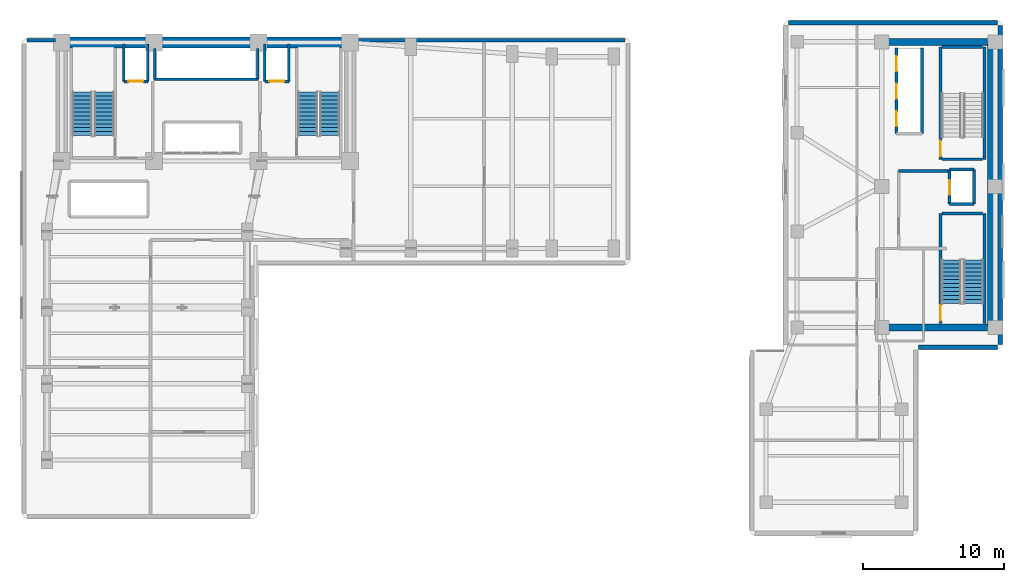
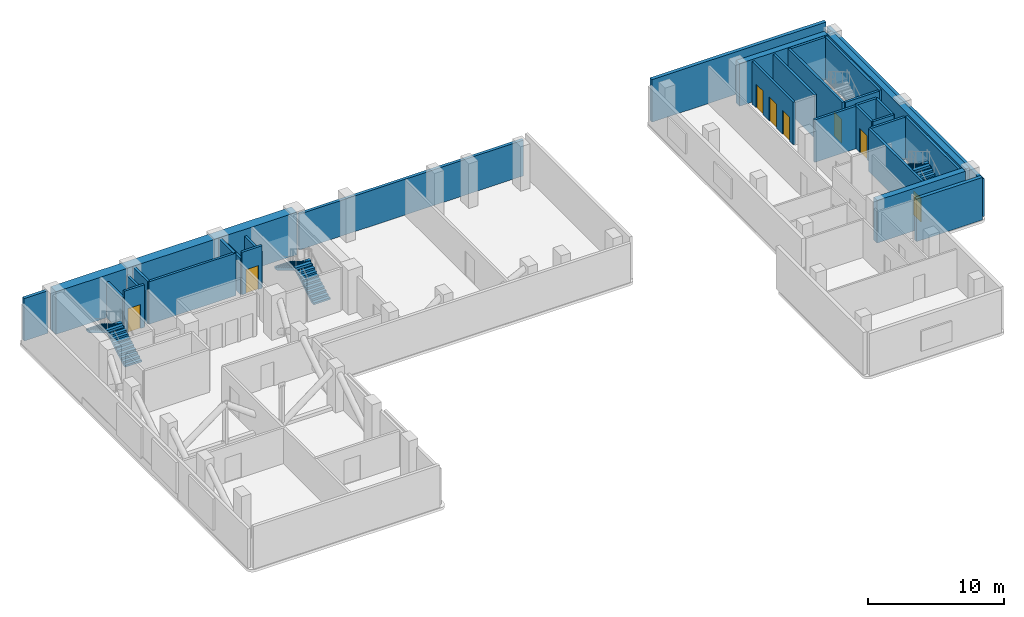
# One storey, part 6 of 9: 32 walls, 8 doors, 6 stair flights, 8 openings, 3 elements without a shape of their own.
"""IFC4 building model written with IfcOpenShell, lengths in metres."""

from ifc_helpers import new_model, si_unit, direction, frame, frame_2d, origin, place, context, subcontext, project, spatial, polyline, rectangle, outline, extrude, material, layer, layer_set, type_object, element, fill, aggregate, save


model = new_model("IFC4")

# Units and contexts
model_context = context("Model", 3, precision=1e-05, world=origin(), true_north=direction((0.0, 1.0)))
body_context = subcontext(model_context, "Body", "Model", "MODEL_VIEW")
ifc_project = project(units=[si_unit("LENGTHUNIT", "METRE"), si_unit("AREAUNIT", "SQUARE_METRE"), si_unit("VOLUMEUNIT", "CUBIC_METRE"), si_unit("PLANEANGLEUNIT", "RADIAN"), si_unit("MASSUNIT", "GRAM", prefix="KILO")], contexts=[model_context])

# Site, building, storey
site_placement = place(None, origin())
site = spatial("IfcSite", under=ifc_project, at=site_placement, CompositionType="ELEMENT")
building_placement = place(site_placement, origin())
building = spatial("IfcBuilding", under=site, at=building_placement, Name="Kuzgunbayir Cultural Tower", CompositionType="ELEMENT")
storey_placement = place(building_placement, frame((0.0, 0.0, 79.39990234375)))
storey = spatial("IfcBuildingStorey", under=building, at=storey_placement, Name="L22", CompositionType="ELEMENT", Elevation=79.39990234375)

# Walls
ifc_material_1 = material(Name="Concrete C60/75", Category="concrete")
ifc_layer_1 = layer(ifc_material_1, 0.800048828125)
ifc_layer_set_1 = layer_set([ifc_layer_1], Name="Concrete C60/75")
wall_type_1 = type_object("IfcWallType", Name="WAL-CORE-800", PredefinedType="SHEAR", material=ifc_layer_set_1)
wall_1_placement = place(storey_placement, frame((6.449951171875, 42.199951171875, 0.0), z_axis=(0.0, 0.0, 1.0), x_axis=(1.0, 0.0, 0.0)))
element("IfcWall", 1, at=wall_1_placement, inside=storey, type_object=wall_type_1, Name="L22 T1 Core North Shear Wall", PredefinedType="SHEAR", context=body_context, shape_type="SweptSolid", body=[
    extrude(rectangle(XDim=20.449951171875, YDim=0.800048828125, at=frame_2d((10.22509765625, 0.0))), origin(), (0.0, 0.0, 1.0), 3.820068359375),
])
ifc_material_2 = material(Name="Concrete C40/50", Category="concrete")
ifc_layer_2 = layer(ifc_material_2, 0.25)
ifc_layer_set_2 = layer_set([ifc_layer_2], Name="Concrete C40/50")
wall_type_2 = type_object("IfcWallType", Name="WAL-EXT-PLANT-250", PredefinedType="STANDARD", material=ifc_layer_set_2)
wall_2_placement = place(storey_placement, frame((46.39990234375, 42.35009765625, 0.0), z_axis=(0.0, 0.0, 1.0), x_axis=(-1.0, 0.0, 0.0)))
element("IfcWall", 2, at=wall_2_placement, inside=storey, type_object=wall_type_2, Name="L22 North Wing B Limestone Wall", PredefinedType="STANDARD", context=body_context, shape_type="SweptSolid", body=[
    extrude(rectangle(XDim=19.0498046875, YDim=0.25, at=frame_2d((9.52490234375, 0.0))), origin(), (0.0, 0.0, 1.0), 3.210205078125),
])
wall_3_placement = place(storey_placement, frame((6.0, 42.35009765625, 0.0), z_axis=(0.0, 0.0, 1.0), x_axis=(-1.0, 0.0, 0.0)))
element("IfcWall", 3, at=wall_3_placement, inside=storey, type_object=wall_type_2, Name="L22 Core North-West Spandrel Link", PredefinedType="STANDARD", context=body_context, shape_type="SweptSolid", body=[
    extrude(rectangle(XDim=2.0, YDim=0.25, at=frame_2d((1.0, 0.0))), origin(), (0.0, 0.0, 1.0), 3.820068359375),
])
ifc_material_3 = material(Name="Anatolian Cream Limestone", Category="masonry")
ifc_layer_3 = layer(ifc_material_3, 0.300048828125)
ifc_layer_set_3 = layer_set([ifc_layer_3], Name="Anatolian Cream Limestone")
wall_type_3 = type_object("IfcWallType", Name="WAL-EXT-STONE-300", PredefinedType="STANDARD", material=ifc_layer_set_3)
wall_4_placement = place(storey_placement, frame((73.0, 20.800048828125, 0.0), z_axis=(0.0, 0.0, 1.0), x_axis=(0.0, 1.0, 0.0)))
element("IfcWall", 4, at=wall_4_placement, inside=storey, type_object=wall_type_3, Name="L22 Companion East Limestone Wall", PredefinedType="STANDARD", context=body_context, shape_type="SweptSolid", body=[
    extrude(rectangle(XDim=22.599853515625, YDim=0.300048828125, at=frame_2d((11.2998046875, 0.0))), origin(), (0.0, 0.0, 1.0), 3.400146484375),
])
wall_5_placement = place(storey_placement, frame((72.800048828125, 43.60009765625, 0.0), z_axis=(0.0, 0.0, 1.0), x_axis=(-1.0, 0.0, 0.0)))
element("IfcWall", 5, at=wall_5_placement, inside=storey, type_object=wall_type_3, Name="L22 Companion North Limestone Wall", PredefinedType="STANDARD", context=body_context, shape_type="SweptSolid", body=[
    extrude(rectangle(XDim=14.800048828125, YDim=0.300048828125, at=frame_2d((7.39990234375, 0.0))), origin(), (0.0, 0.0, 1.0), 3.820068359375),
])
wall_6_placement = place(storey_placement, frame((67.199951171875, 20.60009765625, 0.0), z_axis=(0.0, 0.0, 1.0), x_axis=(1.0, 0.0, 0.0)))
element("IfcWall", 6, at=wall_6_placement, inside=storey, type_object=wall_type_3, Name="L22 Companion South-East Link", PredefinedType="STANDARD", context=body_context, shape_type="SweptSolid", body=[
    extrude(rectangle(XDim=5.60009765625, YDim=0.300048828125, at=frame_2d((2.800048828125, 0.0))), origin(), (0.0, 0.0, 1.0), 3.820068359375),
])
ifc_material_4 = material(Name="Aerated Concrete Blockwork", Category="masonry")
ifc_layer_4 = layer(ifc_material_4, 0.199951171875)
ifc_layer_set_4 = layer_set([ifc_layer_4], Name="Aerated Concrete Blockwork")
wall_type_4 = type_object("IfcWallType", Name="WAL-PART-FIRE-200", PredefinedType="PARTITIONING", material=ifc_layer_set_4)
wall_7_placement = place(storey_placement, frame((65.800048828125, 33.10009765625, 0.0), z_axis=(0.0, 0.0, 1.0), x_axis=(1.0, 0.0, 0.0)))
element("IfcWall", 7, at=wall_7_placement, inside=storey, type_object=wall_type_4, Name="L22 FFL-3 Lobby North Fire Wall", PredefinedType="PARTITIONING", context=body_context, shape_type="SweptSolid", body=[
    extrude(rectangle(XDim=3.599853515625, YDim=0.199951171875, at=frame_2d((1.7998046875, 0.0))), origin(), (0.0, 0.0, 1.0), 3.820068359375),
])

# Wall, opening, door
ifc_layer_5 = layer(ifc_material_2, 0.199951171875)
ifc_layer_set_5 = layer_set([ifc_layer_5], Name="Concrete C40/50")
wall_type_5 = type_object("IfcWallType", Name="WAL-SHAFT-200", PredefinedType="MOVABLE", material=ifc_layer_set_5)
wall_8_placement = place(storey_placement, frame((10.85009765625, 39.449951171875, 0.0), z_axis=(0.0, 0.0, 1.0), x_axis=(1.0, 0.0, 0.0)))
wall_8 = element("IfcWall", 8, at=wall_8_placement, inside=storey, type_object=wall_type_5, Name="L22 FFL-1 Lift Front Wall", PredefinedType="MOVABLE", context=body_context, shape_type="SweptSolid", body=[
    extrude(rectangle(XDim=1.699951171875, YDim=0.199951171875, at=frame_2d((0.85009765625, 0.0))), origin(), (0.0, 0.0, 1.0), 3.820068359375),
])
opening_1_placement = place(wall_8_placement, frame((0.320068359375, 0.0, 0.0)))
opening_1 = element("IfcOpeningElement", 9, at=opening_1_placement, cuts=wall_8, Name="Opening LD", PredefinedType="OPENING", context=body_context, shape_type="SweptSolid", body=[
    extrude(rectangle(XDim=1.050048828125, YDim=2.14990234375, at=frame_2d((0.52490234375, 1.074951171875))), frame((0.0, 0.10986328125, 0.0), z_axis=(0.0, -1.0, 0.0), x_axis=(1.0, 0.0, 0.0)), (0.0, 0.0, 1.0), 0.219970703125),
])
ifc_material_5 = material(Name="Brushed Stainless Steel", Category="steel")
door_type_1 = type_object("IfcDoorType", Name="DR-LIFT-LANDING", OperationType="SLIDING_TO_LEFT", PredefinedType="DOOR", material=ifc_material_5)
door_1_placement = place(opening_1_placement, origin())
door_1 = element("IfcDoor", 10, at=door_1_placement, inside=storey, type_object=door_type_1, Name="L22 Lift FFL-1 Landing Door", OperationType="SLIDING_TO_LEFT", OverallHeight=2.14990234375, OverallWidth=1.050048828125, PredefinedType="DOOR", context=body_context, shape_type="SweptSolid", body=[
    extrude(rectangle(XDim=1.050048828125, YDim=2.14990234375, at=frame_2d((0.52490234375, 1.074951171875))), frame((0.0, 0.02490234375, 0.0), z_axis=(0.0, -1.0, 0.0), x_axis=(1.0, 0.0, 0.0)), (0.0, 0.0, 1.0), 0.050048828125),
])
fill(opening_1, door_1)

wall_9_placement = place(storey_placement, frame((20.85009765625, 39.449951171875, 0.0), z_axis=(0.0, 0.0, 1.0), x_axis=(1.0, 0.0, 0.0)))
wall_9 = element("IfcWall", 11, at=wall_9_placement, inside=storey, type_object=wall_type_5, Name="L22 FFL-2 Lift Front Wall", PredefinedType="MOVABLE", context=body_context, shape_type="SweptSolid", body=[
    extrude(rectangle(XDim=1.699951171875, YDim=0.199951171875, at=frame_2d((0.85009765625, 0.0))), origin(), (0.0, 0.0, 1.0), 3.820068359375),
])
opening_2_placement = place(wall_9_placement, frame((0.320068359375, 0.0, 0.0)))
opening_2 = element("IfcOpeningElement", 12, at=opening_2_placement, cuts=wall_9, Name="Opening LD", PredefinedType="OPENING", context=body_context, shape_type="SweptSolid", body=[
    extrude(rectangle(XDim=1.050048828125, YDim=2.14990234375, at=frame_2d((0.52490234375, 1.074951171875))), frame((0.0, 0.10986328125, 0.0), z_axis=(0.0, -1.0, 0.0), x_axis=(1.0, 0.0, 0.0)), (0.0, 0.0, 1.0), 0.219970703125),
])
door_2_placement = place(opening_2_placement, origin())
door_2 = element("IfcDoor", 13, at=door_2_placement, inside=storey, type_object=door_type_1, Name="L22 Lift FFL-2 Landing Door", OperationType="SLIDING_TO_LEFT", OverallHeight=2.14990234375, OverallWidth=1.050048828125, PredefinedType="DOOR", context=body_context, shape_type="SweptSolid", body=[
    extrude(rectangle(XDim=1.050048828125, YDim=2.14990234375, at=frame_2d((0.52490234375, 1.074951171875))), frame((0.0, 0.02490234375, 0.0), z_axis=(0.0, -1.0, 0.0), x_axis=(1.0, 0.0, 0.0)), (0.0, 0.0, 1.0), 0.050048828125),
])
fill(opening_2, door_2)

# Walls
for number, where, z_axis, x_axis, name in (
    (14, (10.85009765625, 39.449951171875, 0.0), (0.0, 0.0, 1.0), (0.0, 1.0, 0.0), "L22 FFL-1 Shaft West Wall"),
    (15, (12.550048828125, 39.449951171875, 0.0), (0.0, 0.0, 1.0), (0.0, 1.0, 0.0), "L22 FFL-1 Shaft East Wall"),
    (16, (20.85009765625, 39.449951171875, 0.0), (0.0, 0.0, 1.0), (0.0, 1.0, 0.0), "L22 FFL-2 Shaft West Wall"),
    (17, (22.550048828125, 39.449951171875, 0.0), (0.0, 0.0, 1.0), (0.0, 1.0, 0.0), "L22 FFL-2 Shaft East Wall"),
):
    element("IfcWall", number, at=place(storey_placement, frame(where, z_axis=z_axis, x_axis=x_axis)), inside=storey, type_object=wall_type_5, Name=name, PredefinedType="MOVABLE", context=body_context, shape_type="SweptSolid", body=[
        extrude(rectangle(XDim=2.650146484375, YDim=0.199951171875, at=frame_2d((1.3251953125, 0.0))), origin(), (0.0, 0.0, 1.0), 3.210205078125),
    ])
wall_10_placement = place(storey_placement, frame((13.0, 39.60009765625, 0.0), z_axis=(0.0, 0.0, 1.0), x_axis=(1.0, 0.0, 0.0)))
element("IfcWall", 18, at=wall_10_placement, inside=storey, type_object=wall_type_5, Name="L22 Low-Rise Lift Front Wall", PredefinedType="MOVABLE", context=body_context, shape_type="SweptSolid", body=[
    extrude(rectangle(XDim=7.39990234375, YDim=0.199951171875, at=frame_2d((3.699951171875, 0.0))), origin(), (0.0, 0.0, 1.0), 3.820068359375),
])
for number, where, z_axis, x_axis, name in (
    (19, (13.050048828125, 39.60009765625, 0.0), (0.0, 0.0, 1.0), (0.0, 1.0, 0.0), "L22 Low-Rise Lift Shaft West Wall"),
    (20, (20.35009765625, 39.60009765625, 0.0), (0.0, 0.0, 1.0), (0.0, 1.0, 0.0), "L22 Low-Rise Lift Shaft East Wall"),
):
    element("IfcWall", number, at=place(storey_placement, frame(where, z_axis=z_axis, x_axis=x_axis)), inside=storey, type_object=wall_type_5, Name=name, PredefinedType="MOVABLE", context=body_context, shape_type="SweptSolid", body=[
        extrude(rectangle(XDim=2.179931640625, YDim=0.199951171875, at=frame_2d((1.08984375, 0.0))), origin(), (0.0, 0.0, 1.0), 3.820068359375),
    ])

# Wall, openings, doors
wall_11_placement = place(storey_placement, frame((65.64990234375, 35.75, 0.0), z_axis=(0.0, 0.0, 1.0), x_axis=(0.0, 1.0, 0.0)))
wall_11 = element("IfcWall", 21, at=wall_11_placement, inside=storey, type_object=wall_type_5, Name="L22 Companion Lift Front Wall", PredefinedType="MOVABLE", context=body_context, shape_type="SweptSolid", body=[
    extrude(rectangle(XDim=6.050048828125, YDim=0.199951171875, at=frame_2d((3.02490234375, 0.0))), origin(), (0.0, 0.0, 1.0), 3.820068359375),
])
opening_3_placement = place(wall_11_placement, frame((0.52001953125, 0.0, 0.0)))
opening_3 = element("IfcOpeningElement", 22, at=opening_3_placement, cuts=wall_11, Name="Opening LD", PredefinedType="OPENING", context=body_context, shape_type="SweptSolid", body=[
    extrude(rectangle(XDim=1.050048828125, YDim=2.14990234375, at=frame_2d((0.52490234375, 1.074951171875))), frame((0.0, 0.10986328125, 0.0), z_axis=(0.0, -1.0, 0.0), x_axis=(1.0, 0.0, 0.0)), (0.0, 0.0, 1.0), 0.219970703125),
])
opening_4_placement = place(wall_11_placement, frame((2.47998046875, 0.0, 0.0)))
opening_4 = element("IfcOpeningElement", 23, at=opening_4_placement, cuts=wall_11, Name="Opening LD", PredefinedType="OPENING", context=body_context, shape_type="SweptSolid", body=[
    extrude(rectangle(XDim=1.050048828125, YDim=2.14990234375, at=frame_2d((0.52490234375, 1.074951171875))), frame((0.0, 0.10986328125, 0.0), z_axis=(0.0, -1.0, 0.0), x_axis=(1.0, 0.0, 0.0)), (0.0, 0.0, 1.0), 0.219970703125),
])
opening_5_placement = place(wall_11_placement, frame((4.429931640625, 0.0, 0.0)))
opening_5 = element("IfcOpeningElement", 24, at=opening_5_placement, cuts=wall_11, Name="Opening LD", PredefinedType="OPENING", context=body_context, shape_type="SweptSolid", body=[
    extrude(rectangle(XDim=1.050048828125, YDim=2.14990234375, at=frame_2d((0.52490234375, 1.074951171875))), frame((0.0, 0.10986328125, 0.0), z_axis=(0.0, -1.0, 0.0), x_axis=(1.0, 0.0, 0.0)), (0.0, 0.0, 1.0), 0.219970703125),
])
door_3_placement = place(opening_3_placement, origin())
door_3 = element("IfcDoor", 25, at=door_3_placement, inside=storey, type_object=door_type_1, Name="L22 Lift PC-1 Landing Door", OperationType="SLIDING_TO_LEFT", OverallHeight=2.14990234375, OverallWidth=1.050048828125, PredefinedType="DOOR", context=body_context, shape_type="SweptSolid", body=[
    extrude(rectangle(XDim=1.050048828125, YDim=2.14990234375, at=frame_2d((0.52490234375, 1.074951171875))), frame((0.0, 0.02490234375, 0.0), z_axis=(0.0, -1.0, 0.0), x_axis=(1.0, 0.0, 0.0)), (0.0, 0.0, 1.0), 0.050048828125),
])
fill(opening_3, door_3)
door_4_placement = place(opening_4_placement, origin())
door_4 = element("IfcDoor", 26, at=door_4_placement, inside=storey, type_object=door_type_1, Name="L22 Lift PC-2 Landing Door", OperationType="SLIDING_TO_LEFT", OverallHeight=2.14990234375, OverallWidth=1.050048828125, PredefinedType="DOOR", context=body_context, shape_type="SweptSolid", body=[
    extrude(rectangle(XDim=1.050048828125, YDim=2.14990234375, at=frame_2d((0.52490234375, 1.074951171875))), frame((0.0, 0.02490234375, 0.0), z_axis=(0.0, -1.0, 0.0), x_axis=(1.0, 0.0, 0.0)), (0.0, 0.0, 1.0), 0.050048828125),
])
fill(opening_4, door_4)
door_5_placement = place(opening_5_placement, origin())
door_5 = element("IfcDoor", 27, at=door_5_placement, inside=storey, type_object=door_type_1, Name="L22 Lift PC-3 Landing Door", OperationType="SLIDING_TO_LEFT", OverallHeight=2.14990234375, OverallWidth=1.050048828125, PredefinedType="DOOR", context=body_context, shape_type="SweptSolid", body=[
    extrude(rectangle(XDim=1.050048828125, YDim=2.14990234375, at=frame_2d((0.52490234375, 1.074951171875))), frame((0.0, 0.02490234375, 0.0), z_axis=(0.0, -1.0, 0.0), x_axis=(1.0, 0.0, 0.0)), (0.0, 0.0, 1.0), 0.050048828125),
])
fill(opening_5, door_5)

# Wall
wall_12_placement = place(storey_placement, frame((67.449951171875, 35.75, 0.0), z_axis=(0.0, 0.0, 1.0), x_axis=(0.0, 1.0, 0.0)))
element("IfcWall", 28, at=wall_12_placement, inside=storey, type_object=wall_type_5, Name="L22 Companion Lift Shaft Back Wall", PredefinedType="MOVABLE", context=body_context, shape_type="SweptSolid", body=[
    extrude(rectangle(XDim=6.050048828125, YDim=0.199951171875, at=frame_2d((3.02490234375, 0.0))), origin(), (0.0, 0.0, 1.0), 3.820068359375),
])

# Wall, opening, door
wall_13_placement = place(storey_placement, frame((69.39990234375, 30.75, 0.0), z_axis=(0.0, 0.0, 1.0), x_axis=(0.0, 1.0, 0.0)))
wall_13 = element("IfcWall", 29, at=wall_13_placement, inside=storey, type_object=wall_type_5, Name="L22 FFL-3 Lift Front Wall", PredefinedType="MOVABLE", context=body_context, shape_type="SweptSolid", body=[
    extrude(rectangle(XDim=2.449951171875, YDim=0.199951171875, at=frame_2d((1.22509765625, 0.0))), origin(), (0.0, 0.0, 1.0), 3.820068359375),
])
opening_6_placement = place(wall_13_placement, frame((0.64990234375, 0.0, 0.0)))
opening_6 = element("IfcOpeningElement", 30, at=opening_6_placement, cuts=wall_13, Name="Opening LD", PredefinedType="OPENING", context=body_context, shape_type="SweptSolid", body=[
    extrude(rectangle(XDim=1.050048828125, YDim=2.14990234375, at=frame_2d((0.52490234375, 1.074951171875))), frame((0.0, 0.10986328125, 0.0), z_axis=(0.0, -1.0, 0.0), x_axis=(1.0, 0.0, 0.0)), (0.0, 0.0, 1.0), 0.219970703125),
])
door_6_placement = place(opening_6_placement, origin())
door_6 = element("IfcDoor", 31, at=door_6_placement, inside=storey, type_object=door_type_1, Name="L22 Lift FFL-3 Landing Door", OperationType="SLIDING_TO_LEFT", OverallHeight=2.14990234375, OverallWidth=1.050048828125, PredefinedType="DOOR", context=body_context, shape_type="SweptSolid", body=[
    extrude(rectangle(XDim=1.050048828125, YDim=2.14990234375, at=frame_2d((0.52490234375, 1.074951171875))), frame((0.0, 0.02490234375, 0.0), z_axis=(0.0, -1.0, 0.0), x_axis=(1.0, 0.0, 0.0)), (0.0, 0.0, 1.0), 0.050048828125),
])
fill(opening_6, door_6)

# Walls
wall_14_placement = place(storey_placement, frame((71.14990234375, 30.75, 0.0), z_axis=(0.0, 0.0, 1.0), x_axis=(0.0, 1.0, 0.0)))
element("IfcWall", 32, at=wall_14_placement, inside=storey, type_object=wall_type_5, Name="L22 FFL-3 Shaft Back Wall", PredefinedType="MOVABLE", context=body_context, shape_type="SweptSolid", body=[
    extrude(rectangle(XDim=2.449951171875, YDim=0.199951171875, at=frame_2d((1.22509765625, 0.0))), origin(), (0.0, 0.0, 1.0), 3.820068359375),
])
for number, where, z_axis, x_axis, name in (
    (33, (69.39990234375, 33.199951171875, 0.0), (0.0, 0.0, 1.0), (1.0, 0.0, 0.0), "L22 FFL-3 Shaft North Wall"),
    (34, (69.39990234375, 30.75, 0.0), (0.0, 0.0, 1.0), (1.0, 0.0, 0.0), "L22 FFL-3 Shaft South Wall"),
):
    element("IfcWall", number, at=place(storey_placement, frame(where, z_axis=z_axis, x_axis=x_axis)), inside=storey, type_object=wall_type_5, Name=name, PredefinedType="MOVABLE", context=body_context, shape_type="SweptSolid", body=[
        extrude(rectangle(XDim=1.75, YDim=0.199951171875, at=frame_2d((0.875, 0.0))), origin(), (0.0, 0.0, 1.0), 3.820068359375),
    ])

# Wall, opening, door
ifc_layer_6 = layer(ifc_material_2, 0.199951171875)
ifc_layer_set_6 = layer_set([ifc_layer_6], Name="Concrete C40/50")
wall_type_6 = type_object("IfcWallType", Name="WAL-STAIR-RC-200", PredefinedType="SHEAR", material=ifc_layer_set_6)
wall_15_placement = place(storey_placement, frame((68.760009765625, 22.260009765625, 0.0), z_axis=(0.0, 0.0, 1.0), x_axis=(0.0, 1.0, 0.0)))
wall_15 = element("IfcWall", 35, at=wall_15_placement, inside=storey, type_object=wall_type_6, Name="L22 Stair ST-3 West Structural Wall", PredefinedType="SHEAR", context=body_context, shape_type="SweptSolid", body=[
    extrude(rectangle(XDim=7.820068359375, YDim=0.199951171875, at=frame_2d((3.91015625, 0.0))), origin(), (0.0, 0.0, 1.0), 3.820068359375),
])
opening_7_placement = place(wall_15_placement, frame((0.219970703125, 0.0, 0.0)))
opening_7 = element("IfcOpeningElement", 36, at=opening_7_placement, cuts=wall_15, Name="Opening DR-STAIR-90", PredefinedType="OPENING", context=body_context, shape_type="SweptSolid", body=[
    extrude(rectangle(XDim=1.10009765625, YDim=2.14990234375, at=frame_2d((0.550048828125, 1.074951171875))), frame((0.0, 0.10986328125, 0.0), z_axis=(0.0, -1.0, 0.0), x_axis=(1.0, 0.0, 0.0)), (0.0, 0.0, 1.0), 0.219970703125),
])
ifc_material_6 = material(Name="Steel S355J2", Category="steel")
door_type_2 = type_object("IfcDoorType", Name="DR-STAIR-90", OperationType="NOTDEFINED", PredefinedType="DOOR", material=ifc_material_6)
door_7_placement = place(opening_7_placement, origin())
door_7 = element("IfcDoor", 37, at=door_7_placement, inside=storey, type_object=door_type_2, Name="L22 Stair ST-3 Fire Door", OperationType="SINGLE_SWING_RIGHT", OverallHeight=2.14990234375, OverallWidth=1.10009765625, PredefinedType="DOOR", context=body_context, shape_type="SweptSolid", body=[
    extrude(rectangle(XDim=1.10009765625, YDim=2.14990234375, at=frame_2d((0.550048828125, 1.074951171875))), frame((0.0, 0.02490234375, 0.0), z_axis=(0.0, -1.0, 0.0), x_axis=(1.0, 0.0, 0.0)), (0.0, 0.0, 1.0), 0.050048828125),
])
fill(opening_7, door_7)

# Walls
wall_16_placement = place(storey_placement, frame((71.8798828125, 22.260009765625, 0.0), z_axis=(0.0, 0.0, 1.0), x_axis=(0.0, 1.0, 0.0)))
element("IfcWall", 38, at=wall_16_placement, inside=storey, type_object=wall_type_6, Name="L22 Stair ST-3 East Structural Wall", PredefinedType="SHEAR", context=body_context, shape_type="SweptSolid", body=[
    extrude(rectangle(XDim=7.820068359375, YDim=0.199951171875, at=frame_2d((3.91015625, 0.0))), origin(), (0.0, 0.0, 1.0), 3.820068359375),
])
wall_17_placement = place(storey_placement, frame((68.8798828125, 30.080078125, 0.0), z_axis=(0.0, 0.0, 1.0), x_axis=(1.0, 0.0, 0.0)))
element("IfcWall", 39, at=wall_17_placement, inside=storey, type_object=wall_type_6, Name="L22 Stair ST-3 North Structural Wall", PredefinedType="SHEAR", context=body_context, shape_type="SweptSolid", body=[
    extrude(rectangle(XDim=2.880126953125, YDim=0.199951171875, at=frame_2d((1.43994140625, 0.0))), origin(), (0.0, 0.0, 1.0), 3.820068359375),
])

# Wall, opening, door
wall_18_placement = place(storey_placement, frame((68.760009765625, 33.919921875, 0.0), z_axis=(0.0, 0.0, 1.0), x_axis=(0.0, 1.0, 0.0)))
wall_18 = element("IfcWall", 40, at=wall_18_placement, inside=storey, type_object=wall_type_6, Name="L22 Stair ST-4 West Structural Wall", PredefinedType="SHEAR", context=body_context, shape_type="SweptSolid", body=[
    extrude(rectangle(XDim=7.9599609375, YDim=0.199951171875, at=frame_2d((3.97998046875, 0.0))), origin(), (0.0, 0.0, 1.0), 3.820068359375),
])
opening_8_placement = place(wall_18_placement, frame((0.219970703125, 0.0, 0.0)))
opening_8 = element("IfcOpeningElement", 41, at=opening_8_placement, cuts=wall_18, Name="Opening DR-STAIR-90", PredefinedType="OPENING", context=body_context, shape_type="SweptSolid", body=[
    extrude(rectangle(XDim=1.10009765625, YDim=2.14990234375, at=frame_2d((0.550048828125, 1.074951171875))), frame((0.0, 0.10986328125, 0.0), z_axis=(0.0, -1.0, 0.0), x_axis=(1.0, 0.0, 0.0)), (0.0, 0.0, 1.0), 0.219970703125),
])
door_8_placement = place(opening_8_placement, origin())
door_8 = element("IfcDoor", 42, at=door_8_placement, inside=storey, type_object=door_type_2, Name="L22 Stair ST-4 Fire Door", OperationType="SINGLE_SWING_LEFT", OverallHeight=2.14990234375, OverallWidth=1.10009765625, PredefinedType="DOOR", context=body_context, shape_type="SweptSolid", body=[
    extrude(rectangle(XDim=1.10009765625, YDim=2.14990234375, at=frame_2d((0.550048828125, 1.074951171875))), frame((0.0, 0.02490234375, 0.0), z_axis=(0.0, -1.0, 0.0), x_axis=(1.0, 0.0, 0.0)), (0.0, 0.0, 1.0), 0.050048828125),
])
fill(opening_8, door_8)

# Walls
wall_19_placement = place(storey_placement, frame((71.8798828125, 33.919921875, 0.0), z_axis=(0.0, 0.0, 1.0), x_axis=(0.0, 1.0, 0.0)))
element("IfcWall", 43, at=wall_19_placement, inside=storey, type_object=wall_type_6, Name="L22 Stair ST-4 East Structural Wall", PredefinedType="SHEAR", context=body_context, shape_type="SweptSolid", body=[
    extrude(rectangle(XDim=7.9599609375, YDim=0.199951171875, at=frame_2d((3.97998046875, 0.0))), origin(), (0.0, 0.0, 1.0), 3.820068359375),
])
for number, where, z_axis, x_axis, name in (
    (44, (68.8798828125, 41.8798828125, 0.0), (0.0, 0.0, 1.0), (1.0, 0.0, 0.0), "L22 Stair ST-4 North Structural Wall"),
    (45, (68.8798828125, 33.919921875, 0.0), (0.0, 0.0, 1.0), (1.0, 0.0, 0.0), "L22 Stair ST-4 South Structural Wall"),
):
    element("IfcWall", number, at=place(storey_placement, frame(where, z_axis=z_axis, x_axis=x_axis)), inside=storey, type_object=wall_type_6, Name=name, PredefinedType="SHEAR", context=body_context, shape_type="SweptSolid", body=[
        extrude(rectangle(XDim=2.880126953125, YDim=0.199951171875, at=frame_2d((1.43994140625, 0.0))), origin(), (0.0, 0.0, 1.0), 3.820068359375),
    ])
ifc_layer_7 = layer(ifc_material_1, 0.5)
ifc_layer_set_7 = layer_set([ifc_layer_7], Name="Concrete C60/75")
wall_type_7 = type_object("IfcWallType", Name="WAL-T2-CORE-500", PredefinedType="SHEAR", material=ifc_layer_set_7)
wall_20_placement = place(storey_placement, frame((72.35009765625, 22.0, 0.0), z_axis=(0.0, 0.0, 1.0), x_axis=(0.0, 1.0, 0.0)))
element("IfcWall", 46, at=wall_20_placement, inside=storey, type_object=wall_type_7, Name="L22 Companion Core East Shear Wall", PredefinedType="SHEAR", context=body_context, shape_type="SweptSolid", body=[
    extrude(rectangle(XDim=20.25, YDim=0.5, at=frame_2d((10.125, 0.0))), origin(), (0.0, 0.0, 1.0), 3.820068359375),
])
for number, where, z_axis, x_axis, name in (
    (47, (64.60009765625, 42.25, 0.0), (0.0, 0.0, 1.0), (1.0, 0.0, 0.0), "L22 Companion Core North Shear Wall"),
    (48, (64.60009765625, 22.0, 0.0), (0.0, 0.0, 1.0), (1.0, 0.0, 0.0), "L22 Companion Core South Shear Wall"),
):
    element("IfcWall", number, at=place(storey_placement, frame(where, z_axis=z_axis, x_axis=x_axis)), inside=storey, type_object=wall_type_7, Name=name, PredefinedType="SHEAR", context=body_context, shape_type="SweptSolid", body=[
        extrude(rectangle(XDim=7.5, YDim=0.5, at=frame_2d((3.75, 0.0))), origin(), (0.0, 0.0, 1.0), 3.820068359375),
    ])

# Stair, stair flights
stair_type = type_object("IfcStairType", Name="STR-EXIT-CORE", PredefinedType="HALF_TURN_STAIR", material=ifc_material_2)
stair_1_placement = place(storey_placement, origin())
stair_1 = element("IfcStair", 49, at=stair_1_placement, inside=storey, type_object=stair_type, Name="L22 ST-1", PredefinedType="HALF_TURN_STAIR")
stair_flight_type = type_object("IfcStairFlightType", Name="STRF-RC-140", PredefinedType="STRAIGHT", material=ifc_material_2)
stair_flight_1_placement = place(storey_placement, frame((9.4599609375, 35.60009765625, 0.0), z_axis=(0.0, 0.0, 1.0), x_axis=(0.0, 1.0, 0.0)))
stair_flight_1 = element("IfcStairFlight", 50, at=stair_flight_1_placement, type_object=stair_flight_type, Name="ST-1 flight 1", NumberOfRisers=12, NumberOfTreads=11, PredefinedType="STRAIGHT", RiserHeight=0.166666667, TreadLength=0.28, context=body_context, shape_type="SweptSolid", body=[
    extrude(outline(polyline([(0.0, 0.0), (0.0, 0.166748046875), (0.280029296875, 0.166748046875), (0.280029296875, 0.333251953125), (0.56005859375, 0.333251953125), (0.56005859375, 0.5), (0.840087890625, 0.5), (0.840087890625, 0.666748046875), (1.1201171875, 0.666748046875), (1.1201171875, 0.833251953125), (1.39990234375, 0.833251953125), (1.39990234375, 1.0), (1.679931640625, 1.0), (1.679931640625, 1.166748046875), (1.9599609375, 1.166748046875), (1.9599609375, 1.333251953125), (2.239990234375, 1.333251953125), (2.239990234375, 1.5), (2.52001953125, 1.5), (2.52001953125, 1.666748046875), (2.800048828125, 1.666748046875), (2.800048828125, 1.833251953125), (3.080078125, 1.833251953125), (3.080078125, 2.0), (3.080078125, 1.6240234375), (0.351806640625, 0.0), (0.0, 0.0)])), frame((0.0, 0.699951171875, 0.0), z_axis=(0.0, -1.0, 0.0), x_axis=(1.0, 0.0, 0.0)), (0.0, 0.0, 1.0), 1.39990234375),
])
stair_flight_2_placement = place(storey_placement, frame((7.89990234375, 38.679931640625, 2.0), z_axis=(0.0, 0.0, 1.0), x_axis=(0.0, -1.0, 0.0)))
stair_flight_2 = element("IfcStairFlight", 51, at=stair_flight_2_placement, type_object=stair_flight_type, Name="ST-1 flight 2", NumberOfRisers=12, NumberOfTreads=11, PredefinedType="STRAIGHT", RiserHeight=0.166666667, TreadLength=0.28, context=body_context, shape_type="SweptSolid", body=[
    extrude(outline(polyline([(0.0, 0.0), (0.0, 0.166748046875), (0.280029296875, 0.166748046875), (0.280029296875, 0.333251953125), (0.56005859375, 0.333251953125), (0.56005859375, 0.5), (0.840087890625, 0.5), (0.840087890625, 0.666748046875), (1.1201171875, 0.666748046875), (1.1201171875, 0.833251953125), (1.39990234375, 0.833251953125), (1.39990234375, 1.0), (1.679931640625, 1.0), (1.679931640625, 1.166748046875), (1.9599609375, 1.166748046875), (1.9599609375, 1.333251953125), (2.239990234375, 1.333251953125), (2.239990234375, 1.5), (2.52001953125, 1.5), (2.52001953125, 1.666748046875), (2.800048828125, 1.666748046875), (2.800048828125, 1.833251953125), (3.080078125, 1.833251953125), (3.080078125, 2.0), (3.080078125, 1.6240234375), (0.351806640625, 0.0), (0.0, 0.0)])), frame((0.0, 0.699951171875, 0.0), z_axis=(0.0, -1.0, 0.0), x_axis=(1.0, 0.0, 0.0)), (0.0, 0.0, 1.0), 1.39990234375),
])
aggregate(stair_1, [stair_flight_1, stair_flight_2])

stair_2_placement = place(storey_placement, origin())
stair_2 = element("IfcStair", 52, at=stair_2_placement, inside=storey, type_object=stair_type, Name="L22 ST-2", PredefinedType="HALF_TURN_STAIR")
stair_flight_3_placement = place(storey_placement, frame((25.4599609375, 35.60009765625, 0.0), z_axis=(0.0, 0.0, 1.0), x_axis=(0.0, 1.0, 0.0)))
stair_flight_3 = element("IfcStairFlight", 53, at=stair_flight_3_placement, type_object=stair_flight_type, Name="ST-2 flight 1", NumberOfRisers=12, NumberOfTreads=11, PredefinedType="STRAIGHT", RiserHeight=0.166666667, TreadLength=0.28, context=body_context, shape_type="SweptSolid", body=[
    extrude(outline(polyline([(0.0, 0.0), (0.0, 0.166748046875), (0.280029296875, 0.166748046875), (0.280029296875, 0.333251953125), (0.56005859375, 0.333251953125), (0.56005859375, 0.5), (0.840087890625, 0.5), (0.840087890625, 0.666748046875), (1.1201171875, 0.666748046875), (1.1201171875, 0.833251953125), (1.39990234375, 0.833251953125), (1.39990234375, 1.0), (1.679931640625, 1.0), (1.679931640625, 1.166748046875), (1.9599609375, 1.166748046875), (1.9599609375, 1.333251953125), (2.239990234375, 1.333251953125), (2.239990234375, 1.5), (2.52001953125, 1.5), (2.52001953125, 1.666748046875), (2.800048828125, 1.666748046875), (2.800048828125, 1.833251953125), (3.080078125, 1.833251953125), (3.080078125, 2.0), (3.080078125, 1.6240234375), (0.351806640625, 0.0), (0.0, 0.0)])), frame((0.0, 0.699951171875, 0.0), z_axis=(0.0, -1.0, 0.0), x_axis=(1.0, 0.0, 0.0)), (0.0, 0.0, 1.0), 1.39990234375),
])
stair_flight_4_placement = place(storey_placement, frame((23.89990234375, 38.679931640625, 2.0), z_axis=(0.0, 0.0, 1.0), x_axis=(0.0, -1.0, 0.0)))
stair_flight_4 = element("IfcStairFlight", 54, at=stair_flight_4_placement, type_object=stair_flight_type, Name="ST-2 flight 2", NumberOfRisers=12, NumberOfTreads=11, PredefinedType="STRAIGHT", RiserHeight=0.166666667, TreadLength=0.28, context=body_context, shape_type="SweptSolid", body=[
    extrude(outline(polyline([(0.0, 0.0), (0.0, 0.166748046875), (0.280029296875, 0.166748046875), (0.280029296875, 0.333251953125), (0.56005859375, 0.333251953125), (0.56005859375, 0.5), (0.840087890625, 0.5), (0.840087890625, 0.666748046875), (1.1201171875, 0.666748046875), (1.1201171875, 0.833251953125), (1.39990234375, 0.833251953125), (1.39990234375, 1.0), (1.679931640625, 1.0), (1.679931640625, 1.166748046875), (1.9599609375, 1.166748046875), (1.9599609375, 1.333251953125), (2.239990234375, 1.333251953125), (2.239990234375, 1.5), (2.52001953125, 1.5), (2.52001953125, 1.666748046875), (2.800048828125, 1.666748046875), (2.800048828125, 1.833251953125), (3.080078125, 1.833251953125), (3.080078125, 2.0), (3.080078125, 1.6240234375), (0.351806640625, 0.0), (0.0, 0.0)])), frame((0.0, 0.699951171875, 0.0), z_axis=(0.0, -1.0, 0.0), x_axis=(1.0, 0.0, 0.0)), (0.0, 0.0, 1.0), 1.39990234375),
])
aggregate(stair_2, [stair_flight_3, stair_flight_4])

stair_3_placement = place(storey_placement, origin())
stair_3 = element("IfcStair", 55, at=stair_3_placement, inside=storey, type_object=stair_type, Name="L22 ST-3", PredefinedType="HALF_TURN_STAIR")
stair_flight_5_placement = place(storey_placement, frame((71.10009765625, 23.699951171875, 0.0), z_axis=(0.0, 0.0, 1.0), x_axis=(0.0, 1.0, 0.0)))
stair_flight_5 = element("IfcStairFlight", 56, at=stair_flight_5_placement, type_object=stair_flight_type, Name="ST-3 flight 1", NumberOfRisers=12, NumberOfTreads=11, PredefinedType="STRAIGHT", RiserHeight=0.166666667, TreadLength=0.28, context=body_context, shape_type="SweptSolid", body=[
    extrude(outline(polyline([(0.0, 0.0), (0.0, 0.166748046875), (0.280029296875, 0.166748046875), (0.280029296875, 0.333251953125), (0.56005859375, 0.333251953125), (0.56005859375, 0.5), (0.840087890625, 0.5), (0.840087890625, 0.666748046875), (1.1201171875, 0.666748046875), (1.1201171875, 0.833251953125), (1.39990234375, 0.833251953125), (1.39990234375, 1.0), (1.679931640625, 1.0), (1.679931640625, 1.166748046875), (1.9599609375, 1.166748046875), (1.9599609375, 1.333251953125), (2.239990234375, 1.333251953125), (2.239990234375, 1.5), (2.52001953125, 1.5), (2.52001953125, 1.666748046875), (2.800048828125, 1.666748046875), (2.800048828125, 1.833251953125), (3.080078125, 1.833251953125), (3.080078125, 2.0), (3.080078125, 1.6240234375), (0.351806640625, 0.0), (0.0, 0.0)])), frame((0.0, 0.699951171875, 0.0), z_axis=(0.0, -1.0, 0.0), x_axis=(1.0, 0.0, 0.0)), (0.0, 0.0, 1.0), 1.39990234375),
])
stair_flight_6_placement = place(storey_placement, frame((69.5400390625, 26.780029296875, 2.0), z_axis=(0.0, 0.0, 1.0), x_axis=(0.0, -1.0, 0.0)))
stair_flight_6 = element("IfcStairFlight", 57, at=stair_flight_6_placement, type_object=stair_flight_type, Name="ST-3 flight 2", NumberOfRisers=12, NumberOfTreads=11, PredefinedType="STRAIGHT", RiserHeight=0.166666667, TreadLength=0.28, context=body_context, shape_type="SweptSolid", body=[
    extrude(outline(polyline([(0.0, 0.0), (0.0, 0.166748046875), (0.280029296875, 0.166748046875), (0.280029296875, 0.333251953125), (0.56005859375, 0.333251953125), (0.56005859375, 0.5), (0.840087890625, 0.5), (0.840087890625, 0.666748046875), (1.1201171875, 0.666748046875), (1.1201171875, 0.833251953125), (1.39990234375, 0.833251953125), (1.39990234375, 1.0), (1.679931640625, 1.0), (1.679931640625, 1.166748046875), (1.9599609375, 1.166748046875), (1.9599609375, 1.333251953125), (2.239990234375, 1.333251953125), (2.239990234375, 1.5), (2.52001953125, 1.5), (2.52001953125, 1.666748046875), (2.800048828125, 1.666748046875), (2.800048828125, 1.833251953125), (3.080078125, 1.833251953125), (3.080078125, 2.0), (3.080078125, 1.6240234375), (0.351806640625, 0.0), (0.0, 0.0)])), frame((0.0, 0.699951171875, 0.0), z_axis=(0.0, -1.0, 0.0), x_axis=(1.0, 0.0, 0.0)), (0.0, 0.0, 1.0), 1.39990234375),
])
aggregate(stair_3, [stair_flight_5, stair_flight_6])

save(model, "model.ifc")
